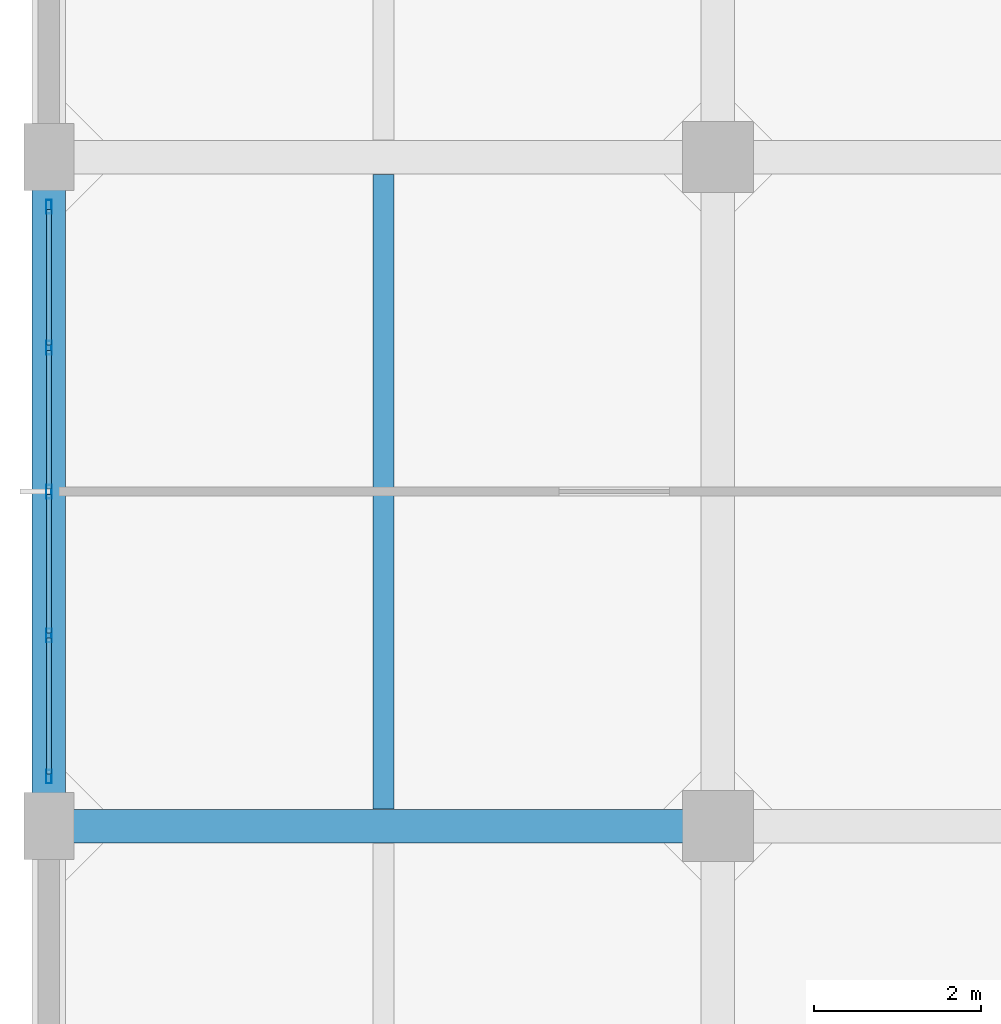
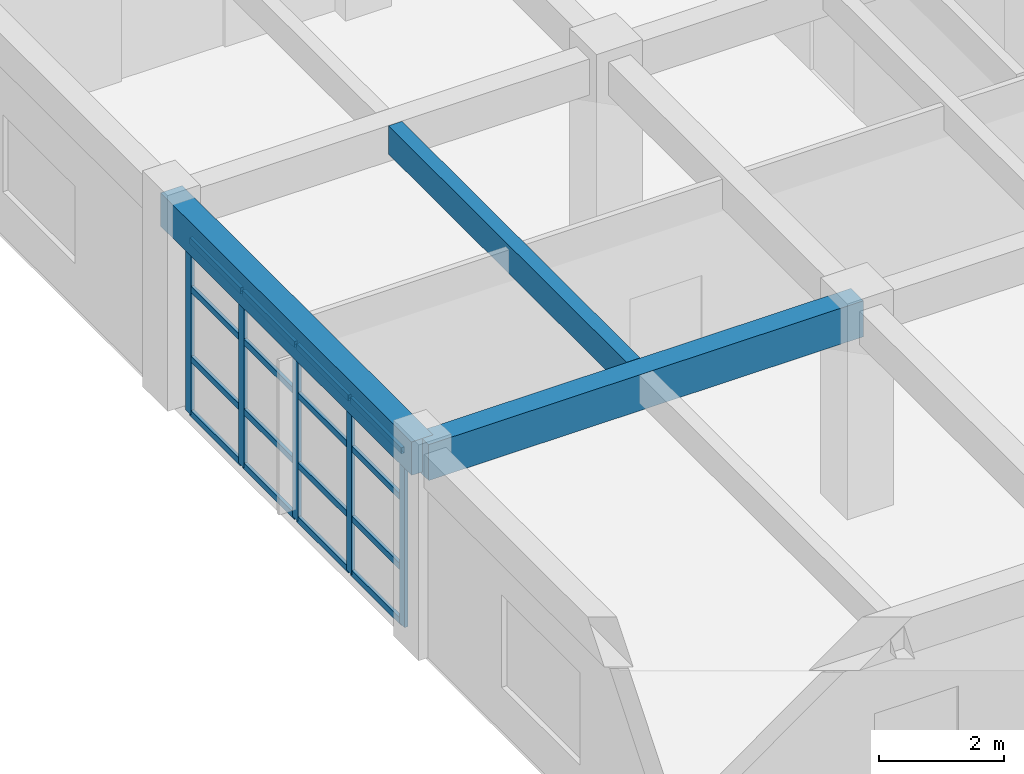
# One storey, part 7 of 27: 21 members, 3 beams, 1 element without a shape of its own.
"""IFC4 building model written with IfcOpenShell, lengths in metres."""

import ifcopenshell
import ifcopenshell.guid

model = None  # the IFC model being written
_history = None  # IfcOwnerHistory: only IFC2X3 demands one
_inside = {}  # id of a spatial element -> (the spatial element, [elements in it])
_under = {}  # id of a project, library or spatial element -> (it, [spatial elements below it])
_declared = {}  # id of a project -> (the project, [libraries it declares])
_typed = {}  # id of a type object -> (the type object, [elements of that type])
_made_of = {}  # id of a material, layer set ... -> (it, [elements and type objects made of it])


def new_model(schema):
    """Start an empty IFC model of exactly this schema.

    Asked for "IFC4X3", IfcOpenShell would pick the latest addendum, in which some entities
    have other attributes; the version numbers below select the first issue.
    IFC2X3 requires an IfcOwnerHistory on every rooted entity: one is made here for all.
    """
    global model, _history
    if schema == "IFC4X3":
        model = ifcopenshell.file(schema_version=(4, 3, 0, 0))
    else:
        model = ifcopenshell.file(schema=schema)
    _inside.clear()
    _under.clear()
    _declared.clear()
    _typed.clear()
    _made_of.clear()
    _history = None
    if model.schema == "IFC2X3":
        org = make("IfcOrganization", Name="unknown")
        user = make(
            "IfcPersonAndOrganization",
            ThePerson=make("IfcPerson", FamilyName="unknown"),
            TheOrganization=org,
        )
        app = make(
            "IfcApplication",
            ApplicationDeveloper=org,
            Version="unknown",
            ApplicationFullName="unknown",
            ApplicationIdentifier="unknown",
        )
        _history = make(
            "IfcOwnerHistory",
            OwningUser=user,
            OwningApplication=app,
            ChangeAction="ADDED",
            CreationDate=0,
        )
    return model


def make(cls, **values):
    """One entity of the class cls with the attributes given. An attribute that is None is left unset."""
    return model.create_entity(
        cls, **{name: value for name, value in values.items() if value is not None}
    )


def rooted(cls, **values):
    """An entity with a GlobalId (a new one), such as an element, a storey or a relation."""
    return make(cls, GlobalId=ifcopenshell.guid.new(), OwnerHistory=_history, **values)


def si_unit(unit_type, name, prefix=None):
    """IfcSIUnit, for example si_unit("LENGTHUNIT", "METRE", prefix="MILLI")."""
    return make("IfcSIUnit", UnitType=unit_type, Prefix=prefix, Name=name)


def assignment(units):
    """IfcUnitAssignment: the units of a project."""
    return None if units is None else make("IfcUnitAssignment", Units=units)


def point(xyz):
    """IfcCartesianPoint."""
    return None if xyz is None else make("IfcCartesianPoint", Coordinates=xyz)


def direction(xyz):
    """IfcDirection."""
    return None if xyz is None else make("IfcDirection", DirectionRatios=xyz)


def frame(location, z_axis=None, x_axis=None):
    """IfcAxis2Placement3D, a coordinate frame: its origin and axes. An axis left out is left unset."""
    return make(
        "IfcAxis2Placement3D",
        Location=point(location),
        Axis=direction(z_axis),
        RefDirection=direction(x_axis),
    )


def frame_2d(location, x_axis=None):
    """IfcAxis2Placement2D, a coordinate frame in the plane: its origin and x axis."""
    return make(
        "IfcAxis2Placement2D", Location=point(location), RefDirection=direction(x_axis)
    )


def origin():
    """The frame at (0, 0, 0) with its axes left unset."""
    return frame((0.0, 0.0, 0.0))


def origin_2d():
    """The frame at (0, 0) in the plane with its x axis left unset."""
    return frame_2d((0.0, 0.0))


def place(relative_to, where):
    """IfcLocalPlacement: puts the frame where relative to a parent placement (None: the world)."""
    return make(
        "IfcLocalPlacement", PlacementRelTo=relative_to, RelativePlacement=where
    )


def context(
    kind, dimensions, precision=None, world=None, true_north=None, identifier=None
):
    """IfcGeometricRepresentationContext, for example the 3D "Model" context."""
    return make(
        "IfcGeometricRepresentationContext",
        ContextIdentifier=identifier,
        ContextType=kind,
        CoordinateSpaceDimension=dimensions,
        Precision=precision,
        WorldCoordinateSystem=world,
        TrueNorth=true_north,
    )


def subcontext(parent, identifier, kind, view, scale=None):
    """IfcGeometricRepresentationSubContext, for example "Body" below "Model"."""
    return make(
        "IfcGeometricRepresentationSubContext",
        ContextIdentifier=identifier,
        ContextType=kind,
        ParentContext=parent,
        TargetScale=scale,
        TargetView=view,
    )


def project(units=None, contexts=None):
    """IfcProject with its units and contexts."""
    return rooted(
        "IfcProject",
        Name="project",
        RepresentationContexts=contexts,
        UnitsInContext=assignment(units),
    )


def spatial(cls, under=None, at=None, **own):
    """A site, building, storey or space (cls), placed at a placement, below another one or the project."""
    s = rooted(cls, ObjectPlacement=at, **own)
    if under is not None:
        _under.setdefault(under.id(), (under, []))[1].append(s)
    return s


def profile(cls, at=None, kind="AREA", **sizes):
    """A parametric profile (cls). Its sizes go by their IFC names, for example OverallWidth=200.0."""
    return make(cls, ProfileType=kind, Position=at, **sizes)


def rectangle(**sizes):
    """IfcRectangleProfileDef."""
    return profile("IfcRectangleProfileDef", **sizes)


def hollow_rectangle(**sizes):
    """IfcRectangleHollowProfileDef."""
    return profile("IfcRectangleHollowProfileDef", **sizes)


def extrude(swept, where, along, depth):
    """IfcExtrudedAreaSolid: the profile swept, set in the frame where, extruded along a direction by depth."""
    return make(
        "IfcExtrudedAreaSolid",
        SweptArea=swept,
        Position=where,
        ExtrudedDirection=direction(along),
        Depth=depth,
    )


def shape(context_of_items, identifier, shape_type, items):
    """IfcShapeRepresentation: the items that make up one representation, for example the "Body"."""
    return make(
        "IfcShapeRepresentation",
        ContextOfItems=context_of_items,
        RepresentationIdentifier=identifier,
        RepresentationType=shape_type,
        Items=items,
    )


def material(Name=None, Category=None):
    """IfcMaterial."""
    return make("IfcMaterial", Name=Name, Category=Category)


def layer(
    of_material, thickness, ventilated=None, Name=None, Category=None, Priority=None
):
    """IfcMaterialLayer: one layer of a wall or slab, of a material (None: an air gap)."""
    return make(
        "IfcMaterialLayer",
        Material=of_material,
        LayerThickness=thickness,
        IsVentilated=ventilated,
        Name=Name,
        Category=Category,
        Priority=Priority,
    )


def layer_set(layers, Name=None):
    """IfcMaterialLayerSet."""
    return make("IfcMaterialLayerSet", MaterialLayers=layers, LayerSetName=Name)


def material_profile(
    of_material, cross_section, Name=None, Category=None, Priority=None
):
    """IfcMaterialProfile: a cross section and its material."""
    return make(
        "IfcMaterialProfile",
        Name=Name,
        Material=of_material,
        Profile=cross_section,
        Priority=Priority,
        Category=Category,
    )


def profile_set(profiles, Name=None, composite=None):
    """IfcMaterialProfileSet."""
    return make(
        "IfcMaterialProfileSet",
        Name=Name,
        MaterialProfiles=profiles,
        CompositeProfile=composite,
    )


def made_of(thing, what):
    """Note that an element or type object is made of a material, layer set ...; save() writes the relation."""
    if what is not None:
        _made_of.setdefault(what.id(), (what, []))[1].append(thing)
    return thing


def type_object(cls, material=None, **own):
    """A type object (cls), such as IfcWallType, which elements share."""
    return made_of(rooted(cls, **own), material)


def element(
    cls,
    number,
    at=None,
    inside=None,
    cuts=None,
    type_object=None,
    material=None,
    context=None,
    identifier="Body",
    shape_type=None,
    held_by="IfcProductDefinitionShape",
    body=None,
    shapes=None,
    **own,
):
    """One element of the class cls, such as IfcWall. Its Tag is "e" and its number.

    at: its placement. inside: the storey or other place that contains it. cuts: it is an
    opening in that element (IfcRelVoidsElement). A single representation is given by context,
    identifier, shape_type and body (its items); several are given by shapes. held_by: the class
    of the entity that holds the representations. save() writes the other relations.
    """
    e = rooted(cls, Tag="e%d" % number, ObjectPlacement=at, **own)
    if body is not None:
        shapes = [shape(context, identifier, shape_type, body)]
    if shapes is not None:
        e.Representation = make(held_by, Representations=shapes)
    if inside is not None:
        _inside.setdefault(inside.id(), (inside, []))[1].append(e)
    if cuts is not None:
        rooted(
            "IfcRelVoidsElement", RelatingBuildingElement=cuts, RelatedOpeningElement=e
        )
    if type_object is not None:
        _typed.setdefault(type_object.id(), (type_object, []))[1].append(e)
    return made_of(e, material)


def aggregate(whole, parts):
    """IfcRelAggregates: a whole, such as a stair, and the parts it consists of."""
    return rooted("IfcRelAggregates", RelatingObject=whole, RelatedObjects=parts)


def save(model, path):
    """Write the relations noted so far, then the file.

    IfcRelAggregates (storeys below a building ...), IfcRelContainedInSpatialStructure (elements
    in a storey), IfcRelDefinesByType, IfcRelAssociatesMaterial and IfcRelDeclares: one each for
    every whole, place, type object, material and project.
    """
    for whole, parts in _under.values():
        aggregate(whole, parts)
    for where, things in _inside.values():
        rooted(
            "IfcRelContainedInSpatialStructure",
            RelatedElements=things,
            RelatingStructure=where,
        )
    for kind, things in _typed.values():
        rooted("IfcRelDefinesByType", RelatedObjects=things, RelatingType=kind)
    for what, things in _made_of.values():
        rooted("IfcRelAssociatesMaterial", RelatedObjects=things, RelatingMaterial=what)
    for by, libraries in _declared.values():
        rooted("IfcRelDeclares", RelatingContext=by, RelatedDefinitions=libraries)
    model.write(path)


model = new_model("IFC4")

# Units and contexts
model_context = context("Model", 3, precision=1e-05, world=origin(), true_north=direction((0.0, 1.0)))
body_context = subcontext(model_context, "Body", "Model", "MODEL_VIEW")
ifc_project = project(units=[si_unit("LENGTHUNIT", "METRE"), si_unit("AREAUNIT", "SQUARE_METRE"), si_unit("VOLUMEUNIT", "CUBIC_METRE"), si_unit("PLANEANGLEUNIT", "RADIAN"), si_unit("MASSUNIT", "GRAM", prefix="KILO")], contexts=[model_context])

# Site, building, storey
site_placement = place(None, origin())
site = spatial("IfcSite", under=ifc_project, at=site_placement, CompositionType="ELEMENT")
building_placement = place(site_placement, origin())
building = spatial("IfcBuilding", under=site, at=building_placement, Name="Canggui Botanical Conservatory", CompositionType="ELEMENT")
storey_placement = place(building_placement, frame((0.0, 0.0, 31.800048828125)))
storey = spatial("IfcBuildingStorey", under=building, at=storey_placement, Name="L08", CompositionType="ELEMENT", Elevation=31.800048828125)

# Beams
ifc_material_1 = material(Name="Concrete C35", Category="concrete")
ifc_material_profile_1 = material_profile(ifc_material_1, rectangle(XDim=0.25, YDim=0.550048828125, at=origin_2d()), Name="RB 250x550")
ifc_profile_set_1 = profile_set([ifc_material_profile_1], Name="Concrete C35")
beam_type_1 = type_object("IfcBeamType", Name="BM-JST03", PredefinedType="JOIST", material=ifc_profile_set_1)
beam_1_placement = place(storey_placement, frame((142.0, 50.205078125, 3.704833984375), z_axis=(0.0, 1.0, 0.0), x_axis=(-1.0, 0.0, 0.0)))
element("IfcBeam", 1, at=beam_1_placement, inside=storey, type_object=beam_type_1, Name="Secondary Floor Joist L08-1-3", PredefinedType="JOIST", context=body_context, shape_type="SweptSolid", body=[
    extrude(rectangle(XDim=0.25, YDim=0.550048828125, at=origin_2d()), origin(), (0.0, 0.0, 1.0), 7.58984375),
])
ifc_material_profile_2 = material_profile(ifc_material_1, rectangle(XDim=0.39990234375, YDim=0.699951171875, at=origin_2d()), Name="RB 400x700")
ifc_profile_set_2 = profile_set([ifc_material_profile_2], Name="Concrete C35")
beam_type_2 = type_object("IfcBeamType", Name="BM-KL11", PredefinedType="BEAM", material=ifc_profile_set_2)
beam_2_placement = place(storey_placement, frame((138.0, 50.0, 3.6298828125), z_axis=(1.0, 0.0, 0.0), x_axis=(0.0, 1.0, 0.0)))
element("IfcBeam", 2, at=beam_2_placement, inside=storey, type_object=beam_type_2, Name="Frame Girder L08 Y50-1", PredefinedType="BEAM", context=body_context, shape_type="SweptSolid", body=[
    extrude(rectangle(XDim=0.39990234375, YDim=0.699951171875, at=origin_2d()), origin(), (0.0, 0.0, 1.0), 8.0),
])
ifc_material_profile_3 = material_profile(ifc_material_1, rectangle(XDim=0.39990234375, YDim=0.64990234375, at=origin_2d()), Name="RB 400x650")
ifc_profile_set_3 = profile_set([ifc_material_profile_3], Name="Concrete C35")
beam_type_3 = type_object("IfcBeamType", Name="BM-KL12", PredefinedType="BEAM", material=ifc_profile_set_3)
beam_3_placement = place(storey_placement, frame((138.0, 50.0, 3.655029296875), z_axis=(0.0, 1.0, 0.0), x_axis=(-1.0, 0.0, 0.0)))
element("IfcBeam", 3, at=beam_3_placement, inside=storey, type_object=beam_type_3, Name="Frame Girder L08 X138-3", PredefinedType="BEAM", context=body_context, shape_type="SweptSolid", body=[
    extrude(rectangle(XDim=0.39990234375, YDim=0.64990234375, at=origin_2d()), origin(), (0.0, 0.0, 1.0), 8.0),
])

# Curtain wall, members
ifc_material_2 = material(Name="Thermally Broken Aluminium", Category="aluminium")
ifc_layer = layer(ifc_material_2, 0.1650390625, Name="Thermally Broken Aluminium", Category="aluminium")
ifc_layer_set = layer_set([ifc_layer], Name="Thermally Broken Aluminium")
curtain_wall_type = type_object("IfcCurtainWallType", Name="CW-UNIT-B", PredefinedType="USERDEFINED", material=ifc_layer_set)
curtain_wall_placement = place(storey_placement, origin())
curtain_wall = element("IfcCurtainWall", 4, at=curtain_wall_placement, inside=storey, type_object=curtain_wall_type, Name="Facade Curtain Wall CW-TWR-L08-08", ObjectType="UNITISED CURTAIN WALL", PredefinedType="USERDEFINED")
ifc_material_profile_4 = material_profile(ifc_material_2, hollow_rectangle(XDim=0.06494140625, YDim=0.1650390625, WallThickness=0.00390625, at=origin_2d()), Name="CWM 65x165x4")
ifc_profile_set_4 = profile_set([ifc_material_profile_4], Name="Thermally Broken Aluminium")
member_type_1 = type_object("IfcMemberType", Name="CWM-02", PredefinedType="MULLION", material=ifc_profile_set_4)
member_1_placement = place(storey_placement, frame((138.0, 50.592529296875, 0.0), z_axis=(0.0, 0.0, 1.0), x_axis=(-1.0, 0.0, 0.0)))
member_1 = element("IfcMember", 5, at=member_1_placement, type_object=member_type_1, Name="CW-02 mullion 1", PredefinedType="MULLION", context=body_context, shape_type="SweptSolid", body=[
    extrude(hollow_rectangle(XDim=0.06494140625, YDim=0.1650390625, WallThickness=0.00390625, at=origin_2d()), origin(), (0.0, 0.0, 1.0), 3.39990234375),
])
member_2_placement = place(storey_placement, frame((138.0, 52.280029296875, 0.0), z_axis=(0.0, 0.0, 1.0), x_axis=(-1.0, 0.0, 0.0)))
member_2 = element("IfcMember", 6, at=member_2_placement, type_object=member_type_1, Name="CW-02 mullion 2", PredefinedType="MULLION", context=body_context, shape_type="SweptSolid", body=[
    extrude(hollow_rectangle(XDim=0.06494140625, YDim=0.1650390625, WallThickness=0.00390625, at=origin_2d()), origin(), (0.0, 0.0, 1.0), 3.39990234375),
])
member_3_placement = place(storey_placement, frame((138.0, 54.0, 0.0), z_axis=(0.0, 0.0, 1.0), x_axis=(-1.0, 0.0, 0.0)))
member_3 = element("IfcMember", 7, at=member_3_placement, type_object=member_type_1, Name="CW-02 mullion 3", PredefinedType="MULLION", context=body_context, shape_type="SweptSolid", body=[
    extrude(hollow_rectangle(XDim=0.06494140625, YDim=0.1650390625, WallThickness=0.00390625, at=origin_2d()), origin(), (0.0, 0.0, 1.0), 3.39990234375),
])
member_4_placement = place(storey_placement, frame((138.0, 55.719970703125, 0.0), z_axis=(0.0, 0.0, 1.0), x_axis=(-1.0, 0.0, 0.0)))
member_4 = element("IfcMember", 8, at=member_4_placement, type_object=member_type_1, Name="CW-02 mullion 4", PredefinedType="MULLION", context=body_context, shape_type="SweptSolid", body=[
    extrude(hollow_rectangle(XDim=0.06494140625, YDim=0.1650390625, WallThickness=0.00390625, at=origin_2d()), origin(), (0.0, 0.0, 1.0), 3.39990234375),
])
member_5_placement = place(storey_placement, frame((138.0, 57.407470703125, 0.0), z_axis=(0.0, 0.0, 1.0), x_axis=(-1.0, 0.0, 0.0)))
member_5 = element("IfcMember", 9, at=member_5_placement, type_object=member_type_1, Name="CW-02 mullion 5", PredefinedType="MULLION", context=body_context, shape_type="SweptSolid", body=[
    extrude(hollow_rectangle(XDim=0.06494140625, YDim=0.1650390625, WallThickness=0.00390625, at=origin_2d()), origin(), (0.0, 0.0, 1.0), 3.39990234375),
])
ifc_material_profile_5 = material_profile(ifc_material_2, hollow_rectangle(XDim=0.06005859375, YDim=0.1201171875, WallThickness=0.00341796875, at=origin_2d()), Name="CWT 60x120x3.5")
ifc_profile_set_5 = profile_set([ifc_material_profile_5], Name="Thermally Broken Aluminium")
member_type_2 = type_object("IfcMemberType", Name="CWT-02", PredefinedType="USERDEFINED", material=ifc_profile_set_5)
member_6_placement = place(storey_placement, frame((138.0, 50.625, 0.030029296875), z_axis=(0.0, 1.0, 0.0), x_axis=(-1.0, 0.0, 0.0)))
member_6 = element("IfcMember", 10, at=member_6_placement, type_object=member_type_2, Name="CW-02 transom 1.1", ObjectType="TRANSOM", PredefinedType="USERDEFINED", context=body_context, shape_type="SweptSolid", body=[
    extrude(hollow_rectangle(XDim=0.06005859375, YDim=0.1201171875, WallThickness=0.00341796875, at=origin_2d()), origin(), (0.0, 0.0, 1.0), 1.62255859375),
])
member_7_placement = place(storey_placement, frame((138.0, 50.625, 1.087890625), z_axis=(0.0, 1.0, 0.0), x_axis=(-1.0, 0.0, 0.0)))
member_7 = element("IfcMember", 11, at=member_7_placement, type_object=member_type_2, Name="CW-02 transom 1.2", ObjectType="TRANSOM", PredefinedType="USERDEFINED", context=body_context, shape_type="SweptSolid", body=[
    extrude(hollow_rectangle(XDim=0.06005859375, YDim=0.1201171875, WallThickness=0.00341796875, at=origin_2d()), origin(), (0.0, 0.0, 1.0), 1.62255859375),
])
member_8_placement = place(storey_placement, frame((138.0, 50.625, 2.447998046875), z_axis=(0.0, 1.0, 0.0), x_axis=(-1.0, 0.0, 0.0)))
member_8 = element("IfcMember", 12, at=member_8_placement, type_object=member_type_2, Name="CW-02 transom 1.3", ObjectType="TRANSOM", PredefinedType="USERDEFINED", context=body_context, shape_type="SweptSolid", body=[
    extrude(hollow_rectangle(XDim=0.06005859375, YDim=0.1201171875, WallThickness=0.00341796875, at=origin_2d()), origin(), (0.0, 0.0, 1.0), 1.62255859375),
])
member_9_placement = place(storey_placement, frame((138.0, 50.625, 3.369873046875), z_axis=(0.0, 1.0, 0.0), x_axis=(-1.0, 0.0, 0.0)))
member_9 = element("IfcMember", 13, at=member_9_placement, type_object=member_type_2, Name="CW-02 transom 1.4", ObjectType="TRANSOM", PredefinedType="USERDEFINED", context=body_context, shape_type="SweptSolid", body=[
    extrude(hollow_rectangle(XDim=0.06005859375, YDim=0.1201171875, WallThickness=0.00341796875, at=origin_2d()), origin(), (0.0, 0.0, 1.0), 1.62255859375),
])
member_10_placement = place(storey_placement, frame((138.0, 52.3125, 0.030029296875), z_axis=(0.0, 1.0, 0.0), x_axis=(-1.0, 0.0, 0.0)))
member_10 = element("IfcMember", 14, at=member_10_placement, type_object=member_type_2, Name="CW-02 transom 2.1", ObjectType="TRANSOM", PredefinedType="USERDEFINED", context=body_context, shape_type="SweptSolid", body=[
    extrude(hollow_rectangle(XDim=0.06005859375, YDim=0.1201171875, WallThickness=0.00341796875, at=origin_2d()), origin(), (0.0, 0.0, 1.0), 1.655029296875),
])
member_11_placement = place(storey_placement, frame((138.0, 52.3125, 1.087890625), z_axis=(0.0, 1.0, 0.0), x_axis=(-1.0, 0.0, 0.0)))
member_11 = element("IfcMember", 15, at=member_11_placement, type_object=member_type_2, Name="CW-02 transom 2.2", ObjectType="TRANSOM", PredefinedType="USERDEFINED", context=body_context, shape_type="SweptSolid", body=[
    extrude(hollow_rectangle(XDim=0.06005859375, YDim=0.1201171875, WallThickness=0.00341796875, at=origin_2d()), origin(), (0.0, 0.0, 1.0), 1.655029296875),
])
member_12_placement = place(storey_placement, frame((138.0, 52.3125, 2.447998046875), z_axis=(0.0, 1.0, 0.0), x_axis=(-1.0, 0.0, 0.0)))
member_12 = element("IfcMember", 16, at=member_12_placement, type_object=member_type_2, Name="CW-02 transom 2.3", ObjectType="TRANSOM", PredefinedType="USERDEFINED", context=body_context, shape_type="SweptSolid", body=[
    extrude(hollow_rectangle(XDim=0.06005859375, YDim=0.1201171875, WallThickness=0.00341796875, at=origin_2d()), origin(), (0.0, 0.0, 1.0), 1.655029296875),
])
member_13_placement = place(storey_placement, frame((138.0, 52.3125, 3.369873046875), z_axis=(0.0, 1.0, 0.0), x_axis=(-1.0, 0.0, 0.0)))
member_13 = element("IfcMember", 17, at=member_13_placement, type_object=member_type_2, Name="CW-02 transom 2.4", ObjectType="TRANSOM", PredefinedType="USERDEFINED", context=body_context, shape_type="SweptSolid", body=[
    extrude(hollow_rectangle(XDim=0.06005859375, YDim=0.1201171875, WallThickness=0.00341796875, at=origin_2d()), origin(), (0.0, 0.0, 1.0), 1.655029296875),
])
member_14_placement = place(storey_placement, frame((138.0, 54.032470703125, 0.030029296875), z_axis=(0.0, 1.0, 0.0), x_axis=(-1.0, 0.0, 0.0)))
member_14 = element("IfcMember", 18, at=member_14_placement, type_object=member_type_2, Name="CW-02 transom 3.1", ObjectType="TRANSOM", PredefinedType="USERDEFINED", context=body_context, shape_type="SweptSolid", body=[
    extrude(hollow_rectangle(XDim=0.06005859375, YDim=0.1201171875, WallThickness=0.00341796875, at=origin_2d()), origin(), (0.0, 0.0, 1.0), 1.655029296875),
])
member_15_placement = place(storey_placement, frame((138.0, 54.032470703125, 1.087890625), z_axis=(0.0, 1.0, 0.0), x_axis=(-1.0, 0.0, 0.0)))
member_15 = element("IfcMember", 19, at=member_15_placement, type_object=member_type_2, Name="CW-02 transom 3.2", ObjectType="TRANSOM", PredefinedType="USERDEFINED", context=body_context, shape_type="SweptSolid", body=[
    extrude(hollow_rectangle(XDim=0.06005859375, YDim=0.1201171875, WallThickness=0.00341796875, at=origin_2d()), origin(), (0.0, 0.0, 1.0), 1.655029296875),
])
member_16_placement = place(storey_placement, frame((138.0, 54.032470703125, 2.447998046875), z_axis=(0.0, 1.0, 0.0), x_axis=(-1.0, 0.0, 0.0)))
member_16 = element("IfcMember", 20, at=member_16_placement, type_object=member_type_2, Name="CW-02 transom 3.3", ObjectType="TRANSOM", PredefinedType="USERDEFINED", context=body_context, shape_type="SweptSolid", body=[
    extrude(hollow_rectangle(XDim=0.06005859375, YDim=0.1201171875, WallThickness=0.00341796875, at=origin_2d()), origin(), (0.0, 0.0, 1.0), 1.655029296875),
])
member_17_placement = place(storey_placement, frame((138.0, 54.032470703125, 3.369873046875), z_axis=(0.0, 1.0, 0.0), x_axis=(-1.0, 0.0, 0.0)))
member_17 = element("IfcMember", 21, at=member_17_placement, type_object=member_type_2, Name="CW-02 transom 3.4", ObjectType="TRANSOM", PredefinedType="USERDEFINED", context=body_context, shape_type="SweptSolid", body=[
    extrude(hollow_rectangle(XDim=0.06005859375, YDim=0.1201171875, WallThickness=0.00341796875, at=origin_2d()), origin(), (0.0, 0.0, 1.0), 1.655029296875),
])
member_18_placement = place(storey_placement, frame((138.0, 55.75244140625, 0.030029296875), z_axis=(0.0, 1.0, 0.0), x_axis=(-1.0, 0.0, 0.0)))
member_18 = element("IfcMember", 22, at=member_18_placement, type_object=member_type_2, Name="CW-02 transom 4.1", ObjectType="TRANSOM", PredefinedType="USERDEFINED", context=body_context, shape_type="SweptSolid", body=[
    extrude(hollow_rectangle(XDim=0.06005859375, YDim=0.1201171875, WallThickness=0.00341796875, at=origin_2d()), origin(), (0.0, 0.0, 1.0), 1.62255859375),
])
member_19_placement = place(storey_placement, frame((138.0, 55.75244140625, 1.087890625), z_axis=(0.0, 1.0, 0.0), x_axis=(-1.0, 0.0, 0.0)))
member_19 = element("IfcMember", 23, at=member_19_placement, type_object=member_type_2, Name="CW-02 transom 4.2", ObjectType="TRANSOM", PredefinedType="USERDEFINED", context=body_context, shape_type="SweptSolid", body=[
    extrude(hollow_rectangle(XDim=0.06005859375, YDim=0.1201171875, WallThickness=0.00341796875, at=origin_2d()), origin(), (0.0, 0.0, 1.0), 1.62255859375),
])
member_20_placement = place(storey_placement, frame((138.0, 55.75244140625, 2.447998046875), z_axis=(0.0, 1.0, 0.0), x_axis=(-1.0, 0.0, 0.0)))
member_20 = element("IfcMember", 24, at=member_20_placement, type_object=member_type_2, Name="CW-02 transom 4.3", ObjectType="TRANSOM", PredefinedType="USERDEFINED", context=body_context, shape_type="SweptSolid", body=[
    extrude(hollow_rectangle(XDim=0.06005859375, YDim=0.1201171875, WallThickness=0.00341796875, at=origin_2d()), origin(), (0.0, 0.0, 1.0), 1.62255859375),
])
member_21_placement = place(storey_placement, frame((138.0, 55.75244140625, 3.369873046875), z_axis=(0.0, 1.0, 0.0), x_axis=(-1.0, 0.0, 0.0)))
member_21 = element("IfcMember", 25, at=member_21_placement, type_object=member_type_2, Name="CW-02 transom 4.4", ObjectType="TRANSOM", PredefinedType="USERDEFINED", context=body_context, shape_type="SweptSolid", body=[
    extrude(hollow_rectangle(XDim=0.06005859375, YDim=0.1201171875, WallThickness=0.00341796875, at=origin_2d()), origin(), (0.0, 0.0, 1.0), 1.62255859375),
])
aggregate(curtain_wall, [member_1, member_2, member_3, member_4, member_5, member_6, member_7, member_8, member_9, member_10, member_11, member_12, member_13, member_14, member_15, member_16, member_17, member_18, member_19, member_20, member_21])

save(model, "model.ifc")
